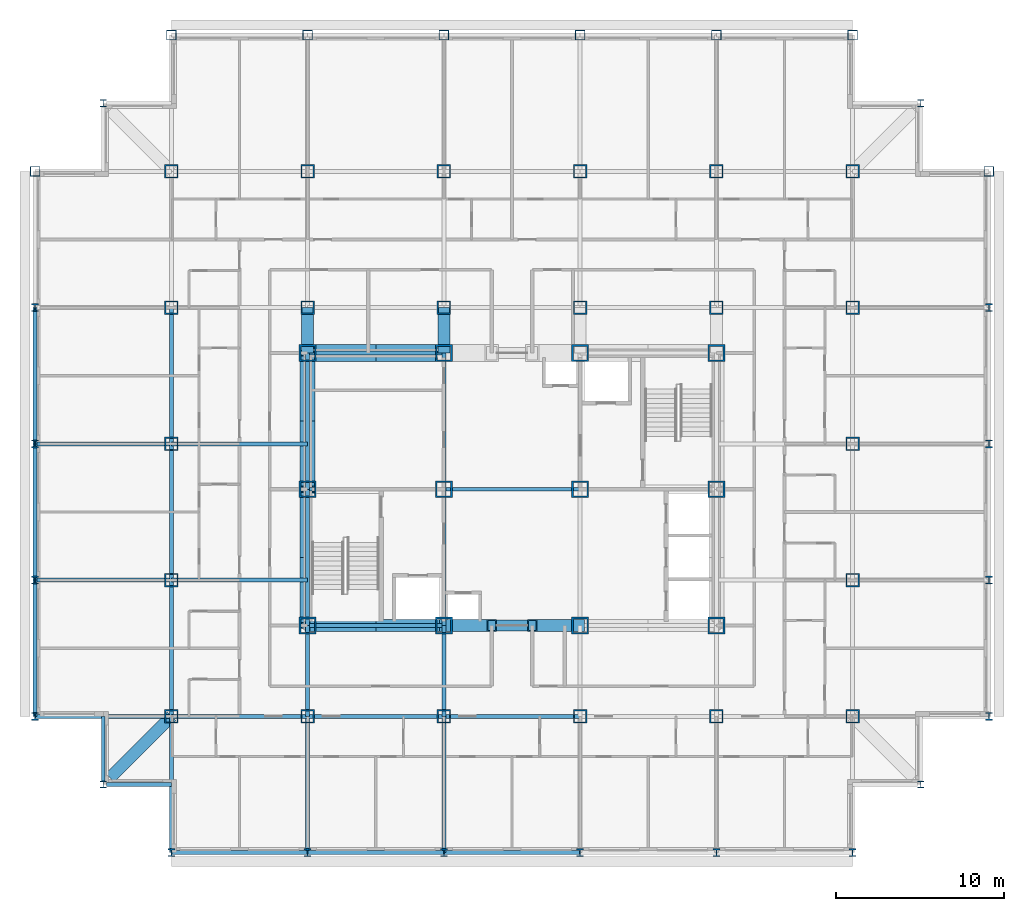
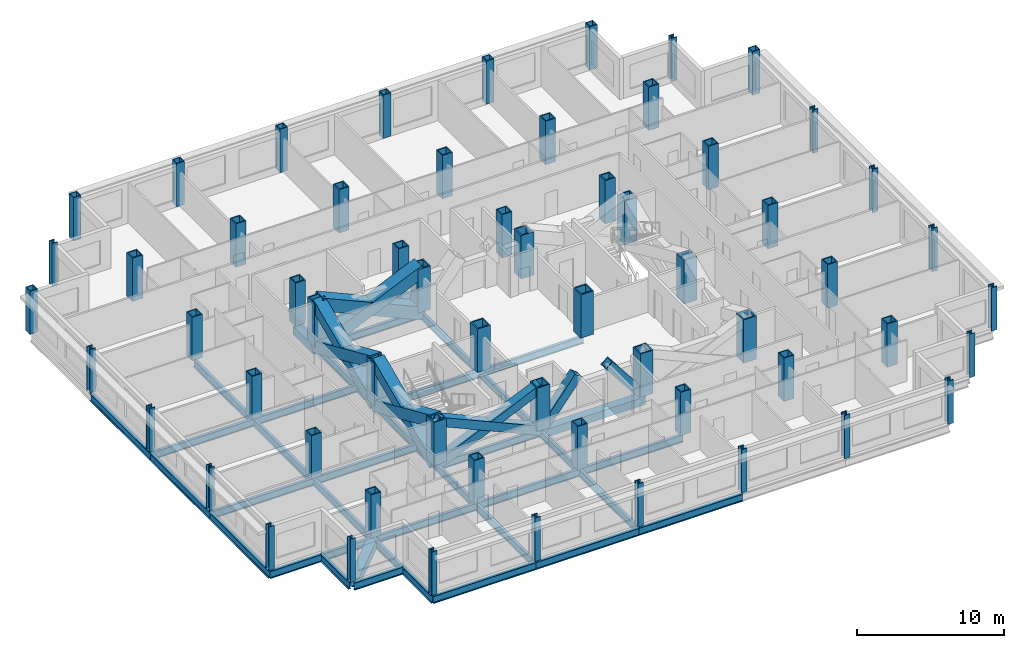
# One storey, part 1 of 12: 60 columns, 36 beams, 10 members.
"""IFC4 building model written with IfcOpenShell, lengths in metres."""

import ifcopenshell
import ifcopenshell.guid

model = None  # the IFC model being written
_history = None  # IfcOwnerHistory: only IFC2X3 demands one
_inside = {}  # id of a spatial element -> (the spatial element, [elements in it])
_under = {}  # id of a project, library or spatial element -> (it, [spatial elements below it])
_declared = {}  # id of a project -> (the project, [libraries it declares])
_typed = {}  # id of a type object -> (the type object, [elements of that type])
_made_of = {}  # id of a material, layer set ... -> (it, [elements and type objects made of it])


def new_model(schema):
    """Start an empty IFC model of exactly this schema.

    Asked for "IFC4X3", IfcOpenShell would pick the latest addendum, in which some entities
    have other attributes; the version numbers below select the first issue.
    IFC2X3 requires an IfcOwnerHistory on every rooted entity: one is made here for all.
    """
    global model, _history
    if schema == "IFC4X3":
        model = ifcopenshell.file(schema_version=(4, 3, 0, 0))
    else:
        model = ifcopenshell.file(schema=schema)
    _inside.clear()
    _under.clear()
    _declared.clear()
    _typed.clear()
    _made_of.clear()
    _history = None
    if model.schema == "IFC2X3":
        org = make("IfcOrganization", Name="unknown")
        user = make(
            "IfcPersonAndOrganization",
            ThePerson=make("IfcPerson", FamilyName="unknown"),
            TheOrganization=org,
        )
        app = make(
            "IfcApplication",
            ApplicationDeveloper=org,
            Version="unknown",
            ApplicationFullName="unknown",
            ApplicationIdentifier="unknown",
        )
        _history = make(
            "IfcOwnerHistory",
            OwningUser=user,
            OwningApplication=app,
            ChangeAction="ADDED",
            CreationDate=0,
        )
    return model


def make(cls, **values):
    """One entity of the class cls with the attributes given. An attribute that is None is left unset."""
    return model.create_entity(
        cls, **{name: value for name, value in values.items() if value is not None}
    )


def rooted(cls, **values):
    """An entity with a GlobalId (a new one), such as an element, a storey or a relation."""
    return make(cls, GlobalId=ifcopenshell.guid.new(), OwnerHistory=_history, **values)


def si_unit(unit_type, name, prefix=None):
    """IfcSIUnit, for example si_unit("LENGTHUNIT", "METRE", prefix="MILLI")."""
    return make("IfcSIUnit", UnitType=unit_type, Prefix=prefix, Name=name)


def assignment(units):
    """IfcUnitAssignment: the units of a project."""
    return None if units is None else make("IfcUnitAssignment", Units=units)


def point(xyz):
    """IfcCartesianPoint."""
    return None if xyz is None else make("IfcCartesianPoint", Coordinates=xyz)


def direction(xyz):
    """IfcDirection."""
    return None if xyz is None else make("IfcDirection", DirectionRatios=xyz)


def frame(location, z_axis=None, x_axis=None):
    """IfcAxis2Placement3D, a coordinate frame: its origin and axes. An axis left out is left unset."""
    return make(
        "IfcAxis2Placement3D",
        Location=point(location),
        Axis=direction(z_axis),
        RefDirection=direction(x_axis),
    )


def frame_2d(location, x_axis=None):
    """IfcAxis2Placement2D, a coordinate frame in the plane: its origin and x axis."""
    return make(
        "IfcAxis2Placement2D", Location=point(location), RefDirection=direction(x_axis)
    )


def origin():
    """The frame at (0, 0, 0) with its axes left unset."""
    return frame((0.0, 0.0, 0.0))


def origin_2d():
    """The frame at (0, 0) in the plane with its x axis left unset."""
    return frame_2d((0.0, 0.0))


def place(relative_to, where):
    """IfcLocalPlacement: puts the frame where relative to a parent placement (None: the world)."""
    return make(
        "IfcLocalPlacement", PlacementRelTo=relative_to, RelativePlacement=where
    )


def context(
    kind, dimensions, precision=None, world=None, true_north=None, identifier=None
):
    """IfcGeometricRepresentationContext, for example the 3D "Model" context."""
    return make(
        "IfcGeometricRepresentationContext",
        ContextIdentifier=identifier,
        ContextType=kind,
        CoordinateSpaceDimension=dimensions,
        Precision=precision,
        WorldCoordinateSystem=world,
        TrueNorth=true_north,
    )


def subcontext(parent, identifier, kind, view, scale=None):
    """IfcGeometricRepresentationSubContext, for example "Body" below "Model"."""
    return make(
        "IfcGeometricRepresentationSubContext",
        ContextIdentifier=identifier,
        ContextType=kind,
        ParentContext=parent,
        TargetScale=scale,
        TargetView=view,
    )


def project(units=None, contexts=None):
    """IfcProject with its units and contexts."""
    return rooted(
        "IfcProject",
        Name="project",
        RepresentationContexts=contexts,
        UnitsInContext=assignment(units),
    )


def spatial(cls, under=None, at=None, **own):
    """A site, building, storey or space (cls), placed at a placement, below another one or the project."""
    s = rooted(cls, ObjectPlacement=at, **own)
    if under is not None:
        _under.setdefault(under.id(), (under, []))[1].append(s)
    return s


def profile(cls, at=None, kind="AREA", **sizes):
    """A parametric profile (cls). Its sizes go by their IFC names, for example OverallWidth=200.0."""
    return make(cls, ProfileType=kind, Position=at, **sizes)


def hollow_rectangle(**sizes):
    """IfcRectangleHollowProfileDef."""
    return profile("IfcRectangleHollowProfileDef", **sizes)


def i_section(**sizes):
    """IfcIShapeProfileDef."""
    return profile("IfcIShapeProfileDef", **sizes)


def extrude(swept, where, along, depth):
    """IfcExtrudedAreaSolid: the profile swept, set in the frame where, extruded along a direction by depth."""
    return make(
        "IfcExtrudedAreaSolid",
        SweptArea=swept,
        Position=where,
        ExtrudedDirection=direction(along),
        Depth=depth,
    )


def shape(context_of_items, identifier, shape_type, items):
    """IfcShapeRepresentation: the items that make up one representation, for example the "Body"."""
    return make(
        "IfcShapeRepresentation",
        ContextOfItems=context_of_items,
        RepresentationIdentifier=identifier,
        RepresentationType=shape_type,
        Items=items,
    )


def material(Name=None, Category=None):
    """IfcMaterial."""
    return make("IfcMaterial", Name=Name, Category=Category)


def material_profile(
    of_material, cross_section, Name=None, Category=None, Priority=None
):
    """IfcMaterialProfile: a cross section and its material."""
    return make(
        "IfcMaterialProfile",
        Name=Name,
        Material=of_material,
        Profile=cross_section,
        Priority=Priority,
        Category=Category,
    )


def profile_set(profiles, Name=None, composite=None):
    """IfcMaterialProfileSet."""
    return make(
        "IfcMaterialProfileSet",
        Name=Name,
        MaterialProfiles=profiles,
        CompositeProfile=composite,
    )


def made_of(thing, what):
    """Note that an element or type object is made of a material, layer set ...; save() writes the relation."""
    if what is not None:
        _made_of.setdefault(what.id(), (what, []))[1].append(thing)
    return thing


def type_object(cls, material=None, **own):
    """A type object (cls), such as IfcWallType, which elements share."""
    return made_of(rooted(cls, **own), material)


def element(
    cls,
    number,
    at=None,
    inside=None,
    cuts=None,
    type_object=None,
    material=None,
    context=None,
    identifier="Body",
    shape_type=None,
    held_by="IfcProductDefinitionShape",
    body=None,
    shapes=None,
    **own,
):
    """One element of the class cls, such as IfcWall. Its Tag is "e" and its number.

    at: its placement. inside: the storey or other place that contains it. cuts: it is an
    opening in that element (IfcRelVoidsElement). A single representation is given by context,
    identifier, shape_type and body (its items); several are given by shapes. held_by: the class
    of the entity that holds the representations. save() writes the other relations.
    """
    e = rooted(cls, Tag="e%d" % number, ObjectPlacement=at, **own)
    if body is not None:
        shapes = [shape(context, identifier, shape_type, body)]
    if shapes is not None:
        e.Representation = make(held_by, Representations=shapes)
    if inside is not None:
        _inside.setdefault(inside.id(), (inside, []))[1].append(e)
    if cuts is not None:
        rooted(
            "IfcRelVoidsElement", RelatingBuildingElement=cuts, RelatedOpeningElement=e
        )
    if type_object is not None:
        _typed.setdefault(type_object.id(), (type_object, []))[1].append(e)
    return made_of(e, material)


def aggregate(whole, parts):
    """IfcRelAggregates: a whole, such as a stair, and the parts it consists of."""
    return rooted("IfcRelAggregates", RelatingObject=whole, RelatedObjects=parts)


def save(model, path):
    """Write the relations noted so far, then the file.

    IfcRelAggregates (storeys below a building ...), IfcRelContainedInSpatialStructure (elements
    in a storey), IfcRelDefinesByType, IfcRelAssociatesMaterial and IfcRelDeclares: one each for
    every whole, place, type object, material and project.
    """
    for whole, parts in _under.values():
        aggregate(whole, parts)
    for where, things in _inside.values():
        rooted(
            "IfcRelContainedInSpatialStructure",
            RelatedElements=things,
            RelatingStructure=where,
        )
    for kind, things in _typed.values():
        rooted("IfcRelDefinesByType", RelatedObjects=things, RelatingType=kind)
    for what, things in _made_of.values():
        rooted("IfcRelAssociatesMaterial", RelatedObjects=things, RelatingMaterial=what)
    for by, libraries in _declared.values():
        rooted("IfcRelDeclares", RelatingContext=by, RelatedDefinitions=libraries)
    model.write(path)


model = new_model("IFC4")

# Units and contexts
model_context = context("Model", 3, precision=1e-05, world=origin(), true_north=direction((0.0, 1.0)))
body_context = subcontext(model_context, "Body", "Model", "MODEL_VIEW")
ifc_project = project(units=[si_unit("LENGTHUNIT", "METRE"), si_unit("AREAUNIT", "SQUARE_METRE"), si_unit("VOLUMEUNIT", "CUBIC_METRE"), si_unit("PLANEANGLEUNIT", "RADIAN"), si_unit("MASSUNIT", "GRAM", prefix="KILO")], contexts=[model_context])

# Site, building, storey
site_placement = place(None, origin())
site = spatial("IfcSite", under=ifc_project, at=site_placement, CompositionType="ELEMENT")
building_placement = place(site_placement, origin())
building = spatial("IfcBuilding", under=site, at=building_placement, Name="Kopane Lantern Tower", CompositionType="ELEMENT")
storey_placement = place(building_placement, frame((0.0, 0.0, 181.199951171875)))
storey = spatial("IfcBuildingStorey", under=building, at=storey_placement, Name="L46", CompositionType="ELEMENT", Elevation=181.199951171875)

# Columns
ifc_material_1 = material(Name="Steel S355JR", Category="steel")
ifc_material_profile_1 = material_profile(ifc_material_1, hollow_rectangle(XDim=1.0, YDim=1.0, WallThickness=0.10009765625, at=origin_2d()), Name="BOX 1000x1000x100")
ifc_profile_set_1 = profile_set([ifc_material_profile_1], Name="Steel S355JR")
column_type_1 = type_object("IfcColumnType", Name="COLUMN BOX 1000x1000x100", PredefinedType="COLUMN", material=ifc_profile_set_1)
for number, where, z_axis, x_axis, name in (
    (1, (16.199951171875, 24.300048828125, 0.0), (0.0, 0.0, 1.0), (1.0, 0.0, 0.0), "Column 4/E L46"),
    (2, (16.199951171875, 32.39990234375, 0.0), (0.0, 0.0, 1.0), (1.0, 0.0, 0.0), "Column 4/F L46"),
    (3, (16.199951171875, 40.5, 0.0), (0.0, 0.0, 1.0), (1.0, 0.0, 0.0), "Column 4/G L46"),
    (4, (24.300048828125, 24.300048828125, 0.0), (0.0, 0.0, 1.0), (1.0, 0.0, 0.0), "Column 5/E L46"),
    (5, (24.300048828125, 32.39990234375, 0.0), (0.0, 0.0, 1.0), (1.0, 0.0, 0.0), "Column 5/F L46"),
    (6, (24.300048828125, 40.5, 0.0), (0.0, 0.0, 1.0), (1.0, 0.0, 0.0), "Column 5/G L46"),
    (7, (32.39990234375, 24.300048828125, 0.0), (0.0, 0.0, 1.0), (1.0, 0.0, 0.0), "Column 6/E L46"),
    (8, (32.39990234375, 32.39990234375, 0.0), (0.0, 0.0, 1.0), (1.0, 0.0, 0.0), "Column 6/F L46"),
    (9, (32.39990234375, 40.5, 0.0), (0.0, 0.0, 1.0), (1.0, 0.0, 0.0), "Column 6/G L46"),
    (10, (40.5, 24.300048828125, 0.0), (0.0, 0.0, 1.0), (1.0, 0.0, 0.0), "Column 7/E L46"),
    (11, (40.5, 32.39990234375, 0.0), (0.0, 0.0, 1.0), (1.0, 0.0, 0.0), "Column 7/F L46"),
    (12, (40.5, 40.5, 0.0), (0.0, 0.0, 1.0), (1.0, 0.0, 0.0), "Column 7/G L46"),
):
    element("IfcColumn", number, at=place(storey_placement, frame(where, z_axis=z_axis, x_axis=x_axis)), inside=storey, type_object=column_type_1, Name=name, PredefinedType="COLUMN", context=body_context, shape_type="SweptSolid", body=[
        extrude(hollow_rectangle(XDim=1.0, YDim=1.0, WallThickness=0.10009765625, at=origin_2d()), origin(), (0.0, 0.0, 1.0), 3.60009765625),
    ])
ifc_material_2 = material(Name="Steel S355JR", Category="steel")
ifc_material_profile_2 = material_profile(ifc_material_2, hollow_rectangle(XDim=0.60009765625, YDim=0.60009765625, WallThickness=0.050048828125, at=origin_2d()), Name="BOX 600x600x50")
ifc_profile_set_2 = profile_set([ifc_material_profile_2], Name="Steel S355JR")
column_type_2 = type_object("IfcColumnType", Name="COLUMN BOX 600x600x50", PredefinedType="COLUMN", material=ifc_profile_set_2)
for number, where, z_axis, x_axis, name in (
    (13, (0.0, 51.300048828125, 0.0), (0.0, 0.0, 1.0), (1.0, 0.0, 0.0), "Column 2/Q6 L46"),
    (14, (8.10009765625, 59.39990234375, 0.0), (0.0, 0.0, 1.0), (1.0, 0.0, 0.0), "Column 3/Q7 L46"),
    (15, (16.199951171875, 59.39990234375, 0.0), (0.0, 0.0, 1.0), (1.0, 0.0, 0.0), "Column 4/Q7 L46"),
    (16, (24.300048828125, 59.39990234375, 0.0), (0.0, 0.0, 1.0), (1.0, 0.0, 0.0), "Column 5/Q7 L46"),
    (17, (32.39990234375, 59.39990234375, 0.0), (0.0, 0.0, 1.0), (1.0, 0.0, 0.0), "Column 6/Q7 L46"),
    (18, (40.5, 59.39990234375, 0.0), (0.0, 0.0, 1.0), (1.0, 0.0, 0.0), "Column 7/Q7 L46"),
    (19, (48.60009765625, 59.39990234375, 0.0), (0.0, 0.0, 1.0), (1.0, 0.0, 0.0), "Column 8/Q7 L46"),
    (20, (56.699951171875, 51.300048828125, 0.0), (0.0, 0.0, 1.0), (1.0, 0.0, 0.0), "Column 9/Q6 L46"),
):
    element("IfcColumn", number, at=place(storey_placement, frame(where, z_axis=z_axis, x_axis=x_axis)), inside=storey, type_object=column_type_2, Name=name, PredefinedType="COLUMN", context=body_context, shape_type="SweptSolid", body=[
        extrude(hollow_rectangle(XDim=0.60009765625, YDim=0.60009765625, WallThickness=0.050048828125, at=origin_2d()), origin(), (0.0, 0.0, 1.0), 3.60009765625),
    ])
ifc_material_3 = material(Name="Steel S355JR", Category="steel")
ifc_material_profile_3 = material_profile(ifc_material_3, hollow_rectangle(XDim=0.800048828125, YDim=0.800048828125, WallThickness=0.080078125, at=origin_2d()), Name="BOX 800x800x80")
ifc_profile_set_3 = profile_set([ifc_material_profile_3], Name="Steel S355JR")
column_type_3 = type_object("IfcColumnType", Name="COLUMN BOX 800x800x80", PredefinedType="COLUMN", material=ifc_profile_set_3)
for number, where, z_axis, x_axis, name in (
    (21, (8.10009765625, 18.89990234375, 0.0), (0.0, 0.0, 1.0), (1.0, 0.0, 0.0), "Column 3/Q2 L46"),
    (22, (8.10009765625, 27.0, 0.0), (0.0, 0.0, 1.0), (1.0, 0.0, 0.0), "Column 3/Q3 L46"),
    (23, (8.10009765625, 35.10009765625, 0.0), (0.0, 0.0, 1.0), (1.0, 0.0, 0.0), "Column 3/Q4 L46"),
    (24, (8.10009765625, 43.199951171875, 0.0), (0.0, 0.0, 1.0), (1.0, 0.0, 0.0), "Column 3/Q5 L46"),
    (25, (8.10009765625, 51.300048828125, 0.0), (0.0, 0.0, 1.0), (1.0, 0.0, 0.0), "Column 3/Q6 L46"),
    (26, (16.199951171875, 18.89990234375, 0.0), (0.0, 0.0, 1.0), (1.0, 0.0, 0.0), "Column 4/Q2 L46"),
    (27, (16.199951171875, 43.199951171875, 0.0), (0.0, 0.0, 1.0), (1.0, 0.0, 0.0), "Column 4/Q5 L46"),
    (28, (16.199951171875, 51.300048828125, 0.0), (0.0, 0.0, 1.0), (1.0, 0.0, 0.0), "Column 4/Q6 L46"),
    (29, (24.300048828125, 18.89990234375, 0.0), (0.0, 0.0, 1.0), (1.0, 0.0, 0.0), "Column 5/Q2 L46"),
    (30, (24.300048828125, 43.199951171875, 0.0), (0.0, 0.0, 1.0), (1.0, 0.0, 0.0), "Column 5/Q5 L46"),
    (31, (24.300048828125, 51.300048828125, 0.0), (0.0, 0.0, 1.0), (1.0, 0.0, 0.0), "Column 5/Q6 L46"),
    (32, (32.39990234375, 18.89990234375, 0.0), (0.0, 0.0, 1.0), (1.0, 0.0, 0.0), "Column 6/Q2 L46"),
    (33, (32.39990234375, 43.199951171875, 0.0), (0.0, 0.0, 1.0), (1.0, 0.0, 0.0), "Column 6/Q5 L46"),
    (34, (32.39990234375, 51.300048828125, 0.0), (0.0, 0.0, 1.0), (1.0, 0.0, 0.0), "Column 6/Q6 L46"),
    (35, (40.5, 18.89990234375, 0.0), (0.0, 0.0, 1.0), (1.0, 0.0, 0.0), "Column 7/Q2 L46"),
    (36, (40.5, 43.199951171875, 0.0), (0.0, 0.0, 1.0), (1.0, 0.0, 0.0), "Column 7/Q5 L46"),
    (37, (40.5, 51.300048828125, 0.0), (0.0, 0.0, 1.0), (1.0, 0.0, 0.0), "Column 7/Q6 L46"),
    (38, (48.60009765625, 18.89990234375, 0.0), (0.0, 0.0, 1.0), (1.0, 0.0, 0.0), "Column 8/Q2 L46"),
    (39, (48.60009765625, 27.0, 0.0), (0.0, 0.0, 1.0), (1.0, 0.0, 0.0), "Column 8/Q3 L46"),
    (40, (48.60009765625, 35.10009765625, 0.0), (0.0, 0.0, 1.0), (1.0, 0.0, 0.0), "Column 8/Q4 L46"),
    (41, (48.60009765625, 43.199951171875, 0.0), (0.0, 0.0, 1.0), (1.0, 0.0, 0.0), "Column 8/Q5 L46"),
    (42, (48.60009765625, 51.300048828125, 0.0), (0.0, 0.0, 1.0), (1.0, 0.0, 0.0), "Column 8/Q6 L46"),
):
    element("IfcColumn", number, at=place(storey_placement, frame(where, z_axis=z_axis, x_axis=x_axis)), inside=storey, type_object=column_type_3, Name=name, PredefinedType="COLUMN", context=body_context, shape_type="SweptSolid", body=[
        extrude(hollow_rectangle(XDim=0.800048828125, YDim=0.800048828125, WallThickness=0.080078125, at=origin_2d()), origin(), (0.0, 0.0, 1.0), 3.60009765625),
    ])
ifc_material_4 = material(Name="Steel S355JR", Category="steel")
ifc_material_profile_4 = material_profile(ifc_material_4, i_section(OverallWidth=0.406982421875, OverallDepth=0.4189453125, WebThickness=0.030517578125, FlangeThickness=0.04931640625, FilletRadius=0.01513671875, at=origin_2d()), Name="UC 356x406x393")
ifc_profile_set_4 = profile_set([ifc_material_profile_4], Name="Steel S355JR")
column_type_4 = type_object("IfcColumnType", Name="COLUMN UC 356x406x393", PredefinedType="COLUMN", material=ifc_profile_set_4)
for number, where, z_axis, x_axis, name in (
    (43, (4.050048828125, 14.85009765625, 0.0), (0.0, 0.0, 1.0), (1.0, 0.0, 0.0), "Column 4.05/14.85 L46"),
    (44, (4.050048828125, 55.35009765625, 0.0), (0.0, 0.0, 1.0), (1.0, 0.0, 0.0), "Column 4.05/55.35 L46"),
    (45, (52.64990234375, 14.85009765625, 0.0), (0.0, 0.0, 1.0), (1.0, 0.0, 0.0), "Column 52.65/14.85 L46"),
    (46, (52.64990234375, 55.35009765625, 0.0), (0.0, 0.0, 1.0), (1.0, 0.0, 0.0), "Column 52.65/55.35 L46"),
):
    element("IfcColumn", number, at=place(storey_placement, frame(where, z_axis=z_axis, x_axis=x_axis)), inside=storey, type_object=column_type_4, Name=name, PredefinedType="COLUMN", context=body_context, shape_type="SweptSolid", body=[
        extrude(i_section(OverallWidth=0.406982421875, OverallDepth=0.4189453125, WebThickness=0.030517578125, FlangeThickness=0.04931640625, FilletRadius=0.01513671875, at=origin_2d()), origin(), (0.0, 0.0, 1.0), 3.60009765625),
    ])
ifc_material_5 = material(Name="Steel S355JR", Category="steel")
ifc_material_profile_5 = material_profile(ifc_material_5, i_section(OverallWidth=0.424072265625, OverallDepth=0.474609375, WebThickness=0.047607421875, FlangeThickness=0.076904296875, FilletRadius=0.01513671875, at=origin_2d()), Name="UC 356x406x634")
ifc_profile_set_5 = profile_set([ifc_material_profile_5], Name="Steel S355JR")
column_type_5 = type_object("IfcColumnType", Name="COLUMN UC 356x406x634", PredefinedType="COLUMN", material=ifc_profile_set_5)
for number, where, z_axis, x_axis, name in (
    (47, (0.0, 18.89990234375, 0.0), (0.0, 0.0, 1.0), (1.0, 0.0, 0.0), "Column 2/Q2 L46"),
    (48, (0.0, 27.0, 0.0), (0.0, 0.0, 1.0), (1.0, 0.0, 0.0), "Column 2/Q3 L46"),
    (49, (0.0, 35.10009765625, 0.0), (0.0, 0.0, 1.0), (1.0, 0.0, 0.0), "Column 2/Q4 L46"),
    (50, (0.0, 43.199951171875, 0.0), (0.0, 0.0, 1.0), (1.0, 0.0, 0.0), "Column 2/Q5 L46"),
    (51, (8.10009765625, 10.800048828125, 0.0), (0.0, 0.0, 1.0), (1.0, 0.0, 0.0), "Column 3/Q1 L46"),
    (52, (16.199951171875, 10.800048828125, 0.0), (0.0, 0.0, 1.0), (1.0, 0.0, 0.0), "Column 4/Q1 L46"),
    (53, (24.300048828125, 10.800048828125, 0.0), (0.0, 0.0, 1.0), (1.0, 0.0, 0.0), "Column 5/Q1 L46"),
    (54, (32.39990234375, 10.800048828125, 0.0), (0.0, 0.0, 1.0), (1.0, 0.0, 0.0), "Column 6/Q1 L46"),
    (55, (40.5, 10.800048828125, 0.0), (0.0, 0.0, 1.0), (1.0, 0.0, 0.0), "Column 7/Q1 L46"),
    (56, (48.60009765625, 10.800048828125, 0.0), (0.0, 0.0, 1.0), (1.0, 0.0, 0.0), "Column 8/Q1 L46"),
    (57, (56.699951171875, 18.89990234375, 0.0), (0.0, 0.0, 1.0), (1.0, 0.0, 0.0), "Column 9/Q2 L46"),
    (58, (56.699951171875, 27.0, 0.0), (0.0, 0.0, 1.0), (1.0, 0.0, 0.0), "Column 9/Q3 L46"),
    (59, (56.699951171875, 35.10009765625, 0.0), (0.0, 0.0, 1.0), (1.0, 0.0, 0.0), "Column 9/Q4 L46"),
    (60, (56.699951171875, 43.199951171875, 0.0), (0.0, 0.0, 1.0), (1.0, 0.0, 0.0), "Column 9/Q5 L46"),
):
    element("IfcColumn", number, at=place(storey_placement, frame(where, z_axis=z_axis, x_axis=x_axis)), inside=storey, type_object=column_type_5, Name=name, PredefinedType="COLUMN", context=body_context, shape_type="SweptSolid", body=[
        extrude(i_section(OverallWidth=0.424072265625, OverallDepth=0.474609375, WebThickness=0.047607421875, FlangeThickness=0.076904296875, FilletRadius=0.01513671875, at=origin_2d()), origin(), (0.0, 0.0, 1.0), 3.60009765625),
    ])

# Members
ifc_material_6 = material(Name="Steel S355JR", Category="steel")
ifc_material_profile_6 = material_profile(ifc_material_6, hollow_rectangle(XDim=1.0, YDim=1.0, WallThickness=0.10009765625, at=origin_2d()), Name="BOX 1000x1000x100")
ifc_profile_set_6 = profile_set([ifc_material_profile_6], Name="Steel S355JR")
member_type_1 = type_object("IfcMemberType", Name="BRACE BOX 1000x1000x100", PredefinedType="BRACE", material=ifc_profile_set_6)
for number, where, z_axis, x_axis, name in (
    (61, (16.199951171875, 40.5, -0.2099609375), (0.913809277049, 0.0, 0.40614357705), (0.0, 1.0, 0.0), "Core brace L46"),
    (62, (24.300048828125, 40.5, -0.2099609375), (-0.913809277049, 0.0, 0.40614357705), (0.0, -1.0, 0.0), "Core brace L46"),
):
    element("IfcMember", number, at=place(storey_placement, frame(where, z_axis=z_axis, x_axis=x_axis)), inside=storey, type_object=member_type_1, Name=name, PredefinedType="BRACE", context=body_context, shape_type="SweptSolid", body=[
        extrude(hollow_rectangle(XDim=1.0, YDim=1.0, WallThickness=0.10009765625, at=origin_2d()), origin(), (0.0, 0.0, 1.0), 8.864013671875),
    ])
ifc_material_7 = material(Name="Steel S355JR", Category="steel")
ifc_material_profile_7 = material_profile(ifc_material_7, hollow_rectangle(XDim=0.699951171875, YDim=0.699951171875, WallThickness=0.06005859375, at=origin_2d()), Name="BOX 700x700x60")
ifc_profile_set_7 = profile_set([ifc_material_profile_7], Name="Steel S355JR")
member_type_2 = type_object("IfcMemberType", Name="BRACE BOX 700x700x60", PredefinedType="BRACE", material=ifc_profile_set_7)
for number, where, z_axis, x_axis, name in (
    (63, (16.199951171875, 24.300048828125, -0.2099609375), (0.913809277049, 0.0, 0.40614357705), (0.0, 1.0, 0.0), "Core brace L46"),
    (64, (24.300048828125, 24.300048828125, -0.2099609375), (-0.913809277049, 0.0, 0.40614357705), (0.0, -1.0, 0.0), "Core brace L46"),
):
    element("IfcMember", number, at=place(storey_placement, frame(where, z_axis=z_axis, x_axis=x_axis)), inside=storey, type_object=member_type_2, Name=name, PredefinedType="BRACE", context=body_context, shape_type="SweptSolid", body=[
        extrude(hollow_rectangle(XDim=0.699951171875, YDim=0.699951171875, WallThickness=0.06005859375, at=origin_2d()), origin(), (0.0, 0.0, 1.0), 8.864013671875),
    ])
for number, where, z_axis, x_axis, name in (
    (65, (24.300048828125, 24.300048828125, -0.2099609375), (0.620672981644, 0.0, 0.784069544018), (0.0, 1.0, 0.0), "Core brace L46"),
    (66, (32.39990234375, 24.300048828125, -0.2099609375), (-0.620672981644, 0.0, 0.784069544018), (0.0, -1.0, 0.0), "Core brace L46"),
):
    element("IfcMember", number, at=place(storey_placement, frame(where, z_axis=z_axis, x_axis=x_axis)), inside=storey, type_object=member_type_2, Name=name, PredefinedType="BRACE", context=body_context, shape_type="SweptSolid", body=[
        extrude(hollow_rectangle(XDim=0.699951171875, YDim=0.699951171875, WallThickness=0.06005859375, at=origin_2d()), origin(), (0.0, 0.0, 1.0), 4.591552734375),
    ])
ifc_material_8 = material(Name="Steel S355JR", Category="steel")
ifc_material_profile_8 = material_profile(ifc_material_8, hollow_rectangle(XDim=0.89990234375, YDim=0.89990234375, WallThickness=0.090087890625, at=origin_2d()), Name="BOX 900x900x90")
ifc_profile_set_8 = profile_set([ifc_material_profile_8], Name="Steel S355JR")
member_type_3 = type_object("IfcMemberType", Name="BRACE BOX 900x900x90", PredefinedType="BRACE", material=ifc_profile_set_8)
for number, where, z_axis, x_axis, name in (
    (67, (16.199951171875, 24.300048828125, -0.2099609375), (0.0, 0.91380473365, 0.406153799391), (-1.0, 0.0, 0.0), "Core brace L46"),
    (68, (16.199951171875, 32.39990234375, -0.2099609375), (0.0, -0.91380473365, 0.406153799391), (1.0, 0.0, 0.0), "Core brace L46"),
):
    element("IfcMember", number, at=place(storey_placement, frame(where, z_axis=z_axis, x_axis=x_axis)), inside=storey, type_object=member_type_3, Name=name, PredefinedType="BRACE", context=body_context, shape_type="SweptSolid", body=[
        extrude(hollow_rectangle(XDim=0.89990234375, YDim=0.89990234375, WallThickness=0.090087890625, at=origin_2d()), origin(), (0.0, 0.0, 1.0), 8.86376953125),
    ])
for number, where, z_axis, x_axis, name in (
    (69, (16.199951171875, 32.39990234375, -0.2099609375), (0.0, 0.913809277049, 0.40614357705), (-1.0, 0.0, 0.0), "Core brace L46"),
    (70, (16.199951171875, 40.5, -0.2099609375), (0.0, -0.913809277049, 0.40614357705), (1.0, 0.0, 0.0), "Core brace L46"),
):
    element("IfcMember", number, at=place(storey_placement, frame(where, z_axis=z_axis, x_axis=x_axis)), inside=storey, type_object=member_type_3, Name=name, PredefinedType="BRACE", context=body_context, shape_type="SweptSolid", body=[
        extrude(hollow_rectangle(XDim=0.89990234375, YDim=0.89990234375, WallThickness=0.090087890625, at=origin_2d()), origin(), (0.0, 0.0, 1.0), 8.864013671875),
    ])

# Beams
ifc_material_9 = material(Name="Steel S355JR", Category="steel")
ifc_material_profile_9 = material_profile(ifc_material_9, i_section(OverallWidth=0.22900390625, OverallDepth=0.6123046875, WebThickness=0.011962890625, FlangeThickness=0.01953125, FilletRadius=0.0126953125, at=origin_2d()), Name="UB 610x229x125")
ifc_profile_set_9 = profile_set([ifc_material_profile_9], Name="Steel S355JR")
beam_type_1 = type_object("IfcBeamType", Name="CORE BEAM UB 610x229x125", PredefinedType="BEAM", material=ifc_profile_set_9)
beam_1_placement = place(storey_placement, frame((16.199951171875, 32.39990234375, -0.51611328125), z_axis=(1.0, 0.0, 0.0), x_axis=(0.0, 1.0, 0.0)))
element("IfcBeam", 71, at=beam_1_placement, inside=storey, type_object=beam_type_1, Name="Core Beam L46", PredefinedType="BEAM", context=body_context, shape_type="SweptSolid", body=[
    extrude(i_section(OverallWidth=0.22900390625, OverallDepth=0.6123046875, WebThickness=0.011962890625, FlangeThickness=0.01953125, FilletRadius=0.0126953125, at=origin_2d()), origin(), (0.0, 0.0, 1.0), 8.10009765625),
])
beam_2_placement = place(storey_placement, frame((24.300048828125, 24.300048828125, -0.51611328125), z_axis=(0.0, 1.0, 0.0), x_axis=(-1.0, 0.0, 0.0)))
element("IfcBeam", 72, at=beam_2_placement, inside=storey, type_object=beam_type_1, Name="Core Beam L46", PredefinedType="BEAM", context=body_context, shape_type="SweptSolid", body=[
    extrude(i_section(OverallWidth=0.22900390625, OverallDepth=0.6123046875, WebThickness=0.011962890625, FlangeThickness=0.01953125, FilletRadius=0.0126953125, at=origin_2d()), origin(), (0.0, 0.0, 1.0), 8.099853515625),
])
beam_3_placement = place(storey_placement, frame((24.300048828125, 32.39990234375, -0.51611328125), z_axis=(0.0, 1.0, 0.0), x_axis=(-1.0, 0.0, 0.0)))
element("IfcBeam", 73, at=beam_3_placement, inside=storey, type_object=beam_type_1, Name="Core Beam L46", PredefinedType="BEAM", context=body_context, shape_type="SweptSolid", body=[
    extrude(i_section(OverallWidth=0.22900390625, OverallDepth=0.6123046875, WebThickness=0.011962890625, FlangeThickness=0.01953125, FilletRadius=0.0126953125, at=origin_2d()), origin(), (0.0, 0.0, 1.0), 8.10009765625),
])
beam_4_placement = place(storey_placement, frame((24.300048828125, 32.39990234375, -0.51611328125), z_axis=(1.0, 0.0, 0.0), x_axis=(0.0, 1.0, 0.0)))
element("IfcBeam", 74, at=beam_4_placement, inside=storey, type_object=beam_type_1, Name="Core Beam L46", PredefinedType="BEAM", context=body_context, shape_type="SweptSolid", body=[
    extrude(i_section(OverallWidth=0.22900390625, OverallDepth=0.6123046875, WebThickness=0.011962890625, FlangeThickness=0.01953125, FilletRadius=0.0126953125, at=origin_2d()), origin(), (0.0, 0.0, 1.0), 8.099853515625),
])
ifc_material_10 = material(Name="Steel S355JR", Category="steel")
ifc_material_profile_10 = material_profile(ifc_material_10, hollow_rectangle(XDim=0.699951171875, YDim=0.699951171875, WallThickness=0.06005859375, at=origin_2d()), Name="BOX 700x700x60")
ifc_profile_set_10 = profile_set([ifc_material_profile_10], Name="Steel S355JR")
beam_type_2 = type_object("IfcBeamType", Name="CORNER TIE BEAM BOX 700x700x60", PredefinedType="BEAM", material=ifc_profile_set_10)
beam_5_placement = place(storey_placement, frame((4.447509765625, 15.24755859375, -0.56005859375), z_axis=(0.70713041325, 0.707083148333, 0.0), x_axis=(-0.707083148333, 0.70713041325, 0.0)))
element("IfcBeam", 75, at=beam_5_placement, inside=storey, type_object=beam_type_2, Name="Corner Tie Beam L46", PredefinedType="BEAM", context=body_context, shape_type="SweptSolid", body=[
    extrude(hollow_rectangle(XDim=0.699951171875, YDim=0.699951171875, WallThickness=0.06005859375, at=origin_2d()), origin(), (0.0, 0.0, 1.0), 5.165283203125),
])
ifc_material_11 = material(Name="Steel S355JR", Category="steel")
ifc_material_profile_11 = material_profile(ifc_material_11, i_section(OverallWidth=0.22900390625, OverallDepth=0.6123046875, WebThickness=0.011962890625, FlangeThickness=0.01953125, FilletRadius=0.0126953125, at=origin_2d()), Name="UB 610x229x125")
ifc_profile_set_11 = profile_set([ifc_material_profile_11], Name="Steel S355JR")
beam_type_3 = type_object("IfcBeamType", Name="EDGE BEAM UB 610x229x125", PredefinedType="BEAM", material=ifc_profile_set_11)
beam_6_placement = place(storey_placement, frame((4.050048828125, 15.053466796875, -0.51611328125), z_axis=(0.0, 1.0, 0.0), x_axis=(-1.0, 0.0, 0.0)))
element("IfcBeam", 76, at=beam_6_placement, inside=storey, type_object=beam_type_3, Name="Edge Beam L46", PredefinedType="BEAM", context=body_context, shape_type="SweptSolid", body=[
    extrude(i_section(OverallWidth=0.22900390625, OverallDepth=0.6123046875, WebThickness=0.011962890625, FlangeThickness=0.01953125, FilletRadius=0.0126953125, at=origin_2d()), origin(), (0.0, 0.0, 1.0), 3.846435546875),
])
beam_7_placement = place(storey_placement, frame((4.25341796875, 14.85009765625, -0.51611328125), z_axis=(1.0, 0.0, 0.0), x_axis=(0.0, 1.0, 0.0)))
element("IfcBeam", 77, at=beam_7_placement, inside=storey, type_object=beam_type_3, Name="Edge Beam L46", PredefinedType="BEAM", context=body_context, shape_type="SweptSolid", body=[
    extrude(i_section(OverallWidth=0.22900390625, OverallDepth=0.6123046875, WebThickness=0.011962890625, FlangeThickness=0.01953125, FilletRadius=0.0126953125, at=origin_2d()), origin(), (0.0, 0.0, 1.0), 3.8466796875),
])
ifc_material_12 = material(Name="Steel S355JR", Category="steel")
ifc_material_profile_12 = material_profile(ifc_material_12, hollow_rectangle(XDim=0.699951171875, YDim=0.699951171875, WallThickness=0.06005859375, at=origin_2d()), Name="BOX 700x700x60")
ifc_profile_set_12 = profile_set([ifc_material_profile_12], Name="Steel S355JR")
beam_type_4 = type_object("IfcBeamType", Name="GIRDER BOX 700x700x60", PredefinedType="BEAM", material=ifc_profile_set_12)
for number, where, z_axis, x_axis, name in (
    (78, (16.199951171875, 40.5, -0.56005859375), (0.0, 1.0, 0.0), (-1.0, 0.0, 0.0), "Girder L46"),
    (79, (24.300048828125, 40.5, -0.56005859375), (0.0, 1.0, 0.0), (-1.0, 0.0, 0.0), "Girder L46"),
):
    element("IfcBeam", number, at=place(storey_placement, frame(where, z_axis=z_axis, x_axis=x_axis)), inside=storey, type_object=beam_type_4, Name=name, PredefinedType="BEAM", context=body_context, shape_type="SweptSolid", body=[
        extrude(hollow_rectangle(XDim=0.699951171875, YDim=0.699951171875, WallThickness=0.06005859375, at=origin_2d()), origin(), (0.0, 0.0, 1.0), 2.699951171875),
    ])
ifc_material_13 = material(Name="Steel S355JR", Category="steel")
ifc_material_profile_13 = material_profile(ifc_material_13, i_section(OverallWidth=0.22900390625, OverallDepth=0.6123046875, WebThickness=0.011962890625, FlangeThickness=0.01953125, FilletRadius=0.0126953125, at=origin_2d()), Name="UB 610x229x125")
ifc_profile_set_13 = profile_set([ifc_material_profile_13], Name="Steel S355JR")
beam_type_5 = type_object("IfcBeamType", Name="GIRDER UB 610x229x125", PredefinedType="BEAM", material=ifc_profile_set_13)
for number, where, z_axis, x_axis, name in (
    (80, (0.0, 18.89990234375, -0.51611328125), (0.0, 1.0, 0.0), (-1.0, 0.0, 0.0), "Girder L46"),
    (81, (0.0, 18.89990234375, -0.51611328125), (1.0, 0.0, 0.0), (0.0, 1.0, 0.0), "Girder L46"),
    (82, (0.0, 27.0, -0.51611328125), (0.0, 1.0, 0.0), (-1.0, 0.0, 0.0), "Girder L46"),
    (83, (0.0, 27.0, -0.51611328125), (1.0, 0.0, 0.0), (0.0, 1.0, 0.0), "Girder L46"),
):
    element("IfcBeam", number, at=place(storey_placement, frame(where, z_axis=z_axis, x_axis=x_axis)), inside=storey, type_object=beam_type_5, Name=name, PredefinedType="BEAM", context=body_context, shape_type="SweptSolid", body=[
        extrude(i_section(OverallWidth=0.22900390625, OverallDepth=0.6123046875, WebThickness=0.011962890625, FlangeThickness=0.01953125, FilletRadius=0.0126953125, at=origin_2d()), origin(), (0.0, 0.0, 1.0), 8.10009765625),
    ])
beam_8_placement = place(storey_placement, frame((0.0, 35.10009765625, -0.51611328125), z_axis=(0.0, 1.0, 0.0), x_axis=(-1.0, 0.0, 0.0)))
element("IfcBeam", 84, at=beam_8_placement, inside=storey, type_object=beam_type_5, Name="Girder L46", PredefinedType="BEAM", context=body_context, shape_type="SweptSolid", body=[
    extrude(i_section(OverallWidth=0.22900390625, OverallDepth=0.6123046875, WebThickness=0.011962890625, FlangeThickness=0.01953125, FilletRadius=0.0126953125, at=origin_2d()), origin(), (0.0, 0.0, 1.0), 8.099853515625),
])
beam_9_placement = place(storey_placement, frame((0.0, 35.10009765625, -0.51611328125), z_axis=(1.0, 0.0, 0.0), x_axis=(0.0, 1.0, 0.0)))
element("IfcBeam", 85, at=beam_9_placement, inside=storey, type_object=beam_type_5, Name="Girder L46", PredefinedType="BEAM", context=body_context, shape_type="SweptSolid", body=[
    extrude(i_section(OverallWidth=0.22900390625, OverallDepth=0.6123046875, WebThickness=0.011962890625, FlangeThickness=0.01953125, FilletRadius=0.0126953125, at=origin_2d()), origin(), (0.0, 0.0, 1.0), 8.10009765625),
])
for number, where, z_axis, x_axis, name in (
    (86, (8.10009765625, 10.800048828125, -0.51611328125), (0.0, 1.0, 0.0), (-1.0, 0.0, 0.0), "Girder L46"),
    (87, (8.10009765625, 10.800048828125, -0.51611328125), (1.0, 0.0, 0.0), (0.0, 1.0, 0.0), "Girder L46"),
):
    element("IfcBeam", number, at=place(storey_placement, frame(where, z_axis=z_axis, x_axis=x_axis)), inside=storey, type_object=beam_type_5, Name=name, PredefinedType="BEAM", context=body_context, shape_type="SweptSolid", body=[
        extrude(i_section(OverallWidth=0.22900390625, OverallDepth=0.6123046875, WebThickness=0.011962890625, FlangeThickness=0.01953125, FilletRadius=0.0126953125, at=origin_2d()), origin(), (0.0, 0.0, 1.0), 8.099853515625),
    ])
beam_10_placement = place(storey_placement, frame((8.10009765625, 18.89990234375, -0.51611328125), z_axis=(0.0, 1.0, 0.0), x_axis=(-1.0, 0.0, 0.0)))
element("IfcBeam", 88, at=beam_10_placement, inside=storey, type_object=beam_type_5, Name="Girder L46", PredefinedType="BEAM", context=body_context, shape_type="SweptSolid", body=[
    extrude(i_section(OverallWidth=0.22900390625, OverallDepth=0.6123046875, WebThickness=0.011962890625, FlangeThickness=0.01953125, FilletRadius=0.0126953125, at=origin_2d()), origin(), (0.0, 0.0, 1.0), 8.10009765625),
])
beam_11_placement = place(storey_placement, frame((8.10009765625, 18.89990234375, -0.51611328125), z_axis=(1.0, 0.0, 0.0), x_axis=(0.0, 1.0, 0.0)))
element("IfcBeam", 89, at=beam_11_placement, inside=storey, type_object=beam_type_5, Name="Girder L46", PredefinedType="BEAM", context=body_context, shape_type="SweptSolid", body=[
    extrude(i_section(OverallWidth=0.22900390625, OverallDepth=0.6123046875, WebThickness=0.011962890625, FlangeThickness=0.01953125, FilletRadius=0.0126953125, at=origin_2d()), origin(), (0.0, 0.0, 1.0), 8.099853515625),
])
beam_12_placement = place(storey_placement, frame((8.10009765625, 27.0, -0.51611328125), z_axis=(0.0, 1.0, 0.0), x_axis=(-1.0, 0.0, 0.0)))
element("IfcBeam", 90, at=beam_12_placement, inside=storey, type_object=beam_type_5, Name="Girder L46", PredefinedType="BEAM", context=body_context, shape_type="SweptSolid", body=[
    extrude(i_section(OverallWidth=0.22900390625, OverallDepth=0.6123046875, WebThickness=0.011962890625, FlangeThickness=0.01953125, FilletRadius=0.0126953125, at=origin_2d()), origin(), (0.0, 0.0, 1.0), 8.10009765625),
])
for number, where, z_axis, x_axis, name in (
    (91, (8.10009765625, 27.0, -0.51611328125), (1.0, 0.0, 0.0), (0.0, 1.0, 0.0), "Girder L46"),
    (92, (8.10009765625, 35.10009765625, -0.51611328125), (0.0, 1.0, 0.0), (-1.0, 0.0, 0.0), "Girder L46"),
    (93, (8.10009765625, 35.10009765625, -0.51611328125), (1.0, 0.0, 0.0), (0.0, 1.0, 0.0), "Girder L46"),
    (94, (16.199951171875, 10.800048828125, -0.51611328125), (0.0, 1.0, 0.0), (-1.0, 0.0, 0.0), "Girder L46"),
):
    element("IfcBeam", number, at=place(storey_placement, frame(where, z_axis=z_axis, x_axis=x_axis)), inside=storey, type_object=beam_type_5, Name=name, PredefinedType="BEAM", context=body_context, shape_type="SweptSolid", body=[
        extrude(i_section(OverallWidth=0.22900390625, OverallDepth=0.6123046875, WebThickness=0.011962890625, FlangeThickness=0.01953125, FilletRadius=0.0126953125, at=origin_2d()), origin(), (0.0, 0.0, 1.0), 8.099853515625),
    ])
beam_13_placement = place(storey_placement, frame((16.199951171875, 10.800048828125, -0.51611328125), z_axis=(1.0, 0.0, 0.0), x_axis=(0.0, 1.0, 0.0)))
element("IfcBeam", 95, at=beam_13_placement, inside=storey, type_object=beam_type_5, Name="Girder L46", PredefinedType="BEAM", context=body_context, shape_type="SweptSolid", body=[
    extrude(i_section(OverallWidth=0.22900390625, OverallDepth=0.6123046875, WebThickness=0.011962890625, FlangeThickness=0.01953125, FilletRadius=0.0126953125, at=origin_2d()), origin(), (0.0, 0.0, 1.0), 8.10009765625),
])
beam_14_placement = place(storey_placement, frame((16.199951171875, 18.89990234375, -0.51611328125), z_axis=(0.0, 1.0, 0.0), x_axis=(-1.0, 0.0, 0.0)))
element("IfcBeam", 96, at=beam_14_placement, inside=storey, type_object=beam_type_5, Name="Girder L46", PredefinedType="BEAM", context=body_context, shape_type="SweptSolid", body=[
    extrude(i_section(OverallWidth=0.22900390625, OverallDepth=0.6123046875, WebThickness=0.011962890625, FlangeThickness=0.01953125, FilletRadius=0.0126953125, at=origin_2d()), origin(), (0.0, 0.0, 1.0), 5.400146484375),
])
beam_15_placement = place(storey_placement, frame((16.199951171875, 18.89990234375, -0.51611328125), z_axis=(1.0, 0.0, 0.0), x_axis=(0.0, 1.0, 0.0)))
element("IfcBeam", 97, at=beam_15_placement, inside=storey, type_object=beam_type_5, Name="Girder L46", PredefinedType="BEAM", context=body_context, shape_type="SweptSolid", body=[
    extrude(i_section(OverallWidth=0.22900390625, OverallDepth=0.6123046875, WebThickness=0.011962890625, FlangeThickness=0.01953125, FilletRadius=0.0126953125, at=origin_2d()), origin(), (0.0, 0.0, 1.0), 8.10009765625),
])
beam_16_placement = place(storey_placement, frame((16.199951171875, 24.300048828125, -0.51611328125), z_axis=(0.0, 1.0, 0.0), x_axis=(-1.0, 0.0, 0.0)))
element("IfcBeam", 98, at=beam_16_placement, inside=storey, type_object=beam_type_5, Name="Girder L46", PredefinedType="BEAM", context=body_context, shape_type="SweptSolid", body=[
    extrude(i_section(OverallWidth=0.22900390625, OverallDepth=0.6123046875, WebThickness=0.011962890625, FlangeThickness=0.01953125, FilletRadius=0.0126953125, at=origin_2d()), origin(), (0.0, 0.0, 1.0), 8.099853515625),
])
for number, where, z_axis, x_axis, name in (
    (99, (16.199951171875, 24.300048828125, -0.51611328125), (1.0, 0.0, 0.0), (0.0, 1.0, 0.0), "Girder L46"),
    (100, (16.199951171875, 32.39990234375, -0.51611328125), (0.0, 1.0, 0.0), (-1.0, 0.0, 0.0), "Girder L46"),
    (101, (16.199951171875, 40.5, -0.51611328125), (1.0, 0.0, 0.0), (0.0, 1.0, 0.0), "Girder L46"),
):
    element("IfcBeam", number, at=place(storey_placement, frame(where, z_axis=z_axis, x_axis=x_axis)), inside=storey, type_object=beam_type_5, Name=name, PredefinedType="BEAM", context=body_context, shape_type="SweptSolid", body=[
        extrude(i_section(OverallWidth=0.22900390625, OverallDepth=0.6123046875, WebThickness=0.011962890625, FlangeThickness=0.01953125, FilletRadius=0.0126953125, at=origin_2d()), origin(), (0.0, 0.0, 1.0), 8.10009765625),
    ])
for number, where, z_axis, x_axis, name in (
    (102, (24.300048828125, 10.800048828125, -0.51611328125), (0.0, 1.0, 0.0), (-1.0, 0.0, 0.0), "Girder L46"),
    (103, (24.300048828125, 10.800048828125, -0.51611328125), (1.0, 0.0, 0.0), (0.0, 1.0, 0.0), "Girder L46"),
):
    element("IfcBeam", number, at=place(storey_placement, frame(where, z_axis=z_axis, x_axis=x_axis)), inside=storey, type_object=beam_type_5, Name=name, PredefinedType="BEAM", context=body_context, shape_type="SweptSolid", body=[
        extrude(i_section(OverallWidth=0.22900390625, OverallDepth=0.6123046875, WebThickness=0.011962890625, FlangeThickness=0.01953125, FilletRadius=0.0126953125, at=origin_2d()), origin(), (0.0, 0.0, 1.0), 8.099853515625),
    ])
beam_17_placement = place(storey_placement, frame((24.300048828125, 18.89990234375, -0.51611328125), z_axis=(0.0, 1.0, 0.0), x_axis=(-1.0, 0.0, 0.0)))
element("IfcBeam", 104, at=beam_17_placement, inside=storey, type_object=beam_type_5, Name="Girder L46", PredefinedType="BEAM", context=body_context, shape_type="SweptSolid", body=[
    extrude(i_section(OverallWidth=0.22900390625, OverallDepth=0.6123046875, WebThickness=0.011962890625, FlangeThickness=0.01953125, FilletRadius=0.0126953125, at=origin_2d()), origin(), (0.0, 0.0, 1.0), 5.400146484375),
])
beam_18_placement = place(storey_placement, frame((24.300048828125, 18.89990234375, -0.51611328125), z_axis=(1.0, 0.0, 0.0), x_axis=(0.0, 1.0, 0.0)))
element("IfcBeam", 105, at=beam_18_placement, inside=storey, type_object=beam_type_5, Name="Girder L46", PredefinedType="BEAM", context=body_context, shape_type="SweptSolid", body=[
    extrude(i_section(OverallWidth=0.22900390625, OverallDepth=0.6123046875, WebThickness=0.011962890625, FlangeThickness=0.01953125, FilletRadius=0.0126953125, at=origin_2d()), origin(), (0.0, 0.0, 1.0), 8.099853515625),
])
ifc_material_14 = material(Name="Steel S355JR", Category="steel")
ifc_material_profile_14 = material_profile(ifc_material_14, hollow_rectangle(XDim=0.64990234375, YDim=0.64990234375, WallThickness=0.070068359375, at=origin_2d()), Name="BOX 650x650x70")
ifc_profile_set_14 = profile_set([ifc_material_profile_14], Name="Steel S355JR")
beam_type_6 = type_object("IfcBeamType", Name="LINK BEAM BOX 650x650x70", PredefinedType="BEAM", material=ifc_profile_set_14)
beam_19_placement = place(storey_placement, frame((24.300048828125, 24.300048828125, -0.534912109375), z_axis=(1.0, 0.0, 0.0), x_axis=(0.0, 1.0, 0.0)))
element("IfcBeam", 106, at=beam_19_placement, inside=storey, type_object=beam_type_6, Name="Link Beam L46", PredefinedType="BEAM", context=body_context, shape_type="SweptSolid", body=[
    extrude(hollow_rectangle(XDim=0.64990234375, YDim=0.64990234375, WallThickness=0.070068359375, at=origin_2d()), origin(), (0.0, 0.0, 1.0), 8.099853515625),
])

save(model, "model.ifc")
